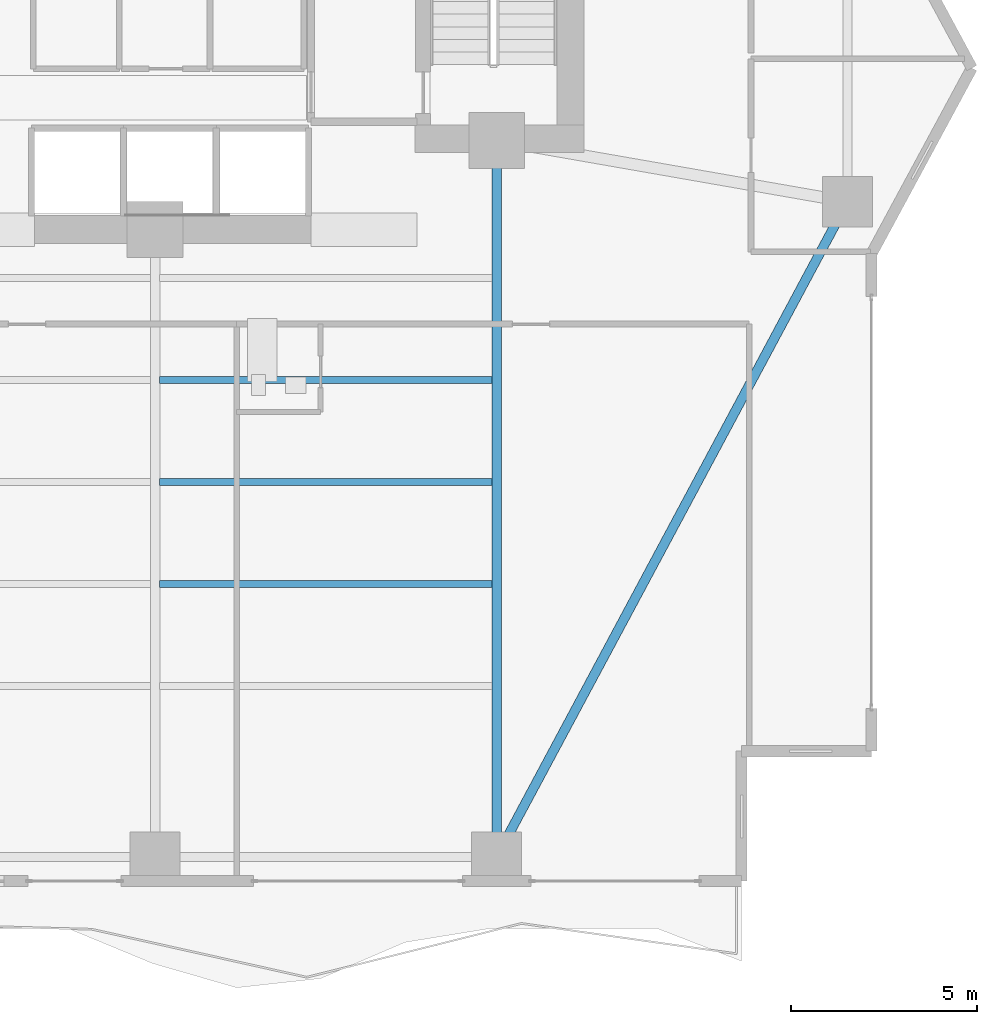
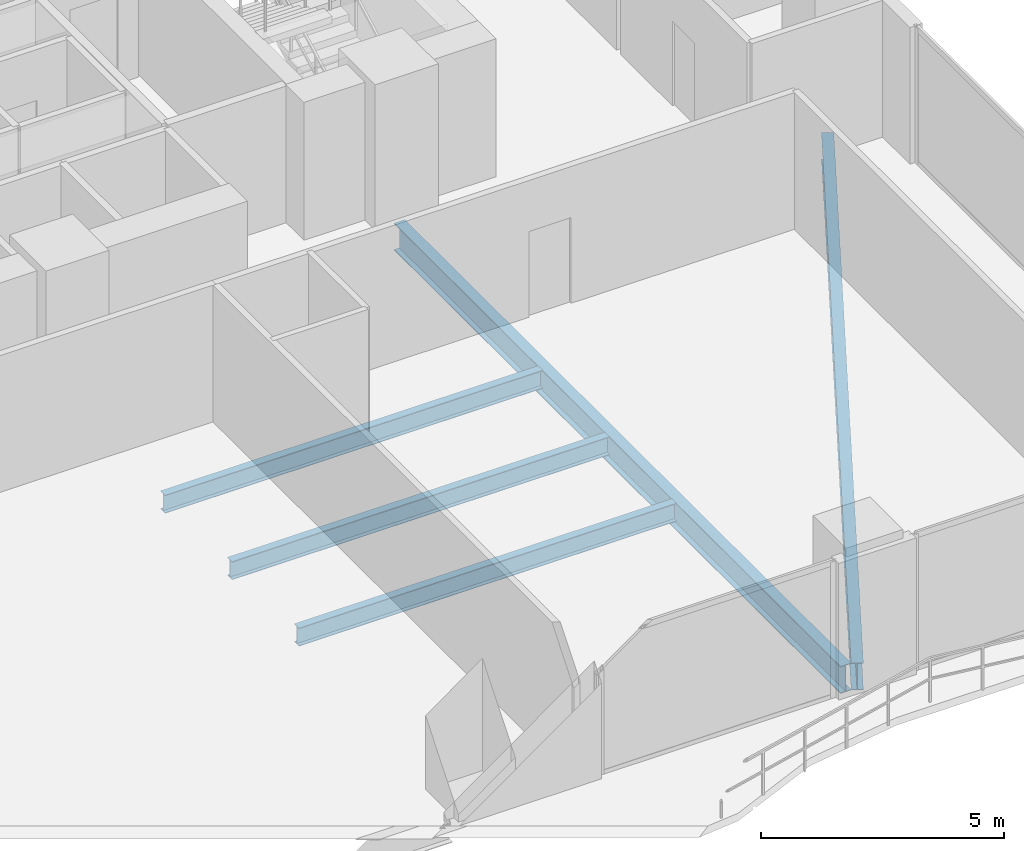
# One storey, part 10 of 29: 5 beams.
"""IFC4 building model written with IfcOpenShell, lengths in metres."""

from ifc_helpers import new_model, si_unit, direction, frame, origin, origin_2d, place, context, subcontext, project, spatial, i_section, extrude, material, material_profile, profile_set, type_object, element, save


model = new_model("IFC4")

# Units and contexts
model_context = context("Model", 3, precision=1e-05, world=origin(), true_north=direction((0.0, 1.0)))
body_context = subcontext(model_context, "Body", "Model", "MODEL_VIEW")
ifc_project = project(units=[si_unit("LENGTHUNIT", "METRE"), si_unit("AREAUNIT", "SQUARE_METRE"), si_unit("VOLUMEUNIT", "CUBIC_METRE"), si_unit("PLANEANGLEUNIT", "RADIAN"), si_unit("MASSUNIT", "GRAM", prefix="KILO")], contexts=[model_context])

# Site, building, storey
site_placement = place(None, origin())
site = spatial("IfcSite", under=ifc_project, at=site_placement, CompositionType="ELEMENT")
building_placement = place(site_placement, origin())
building = spatial("IfcBuilding", under=site, at=building_placement, Name="Zuhayl Quay Hotel", CompositionType="ELEMENT")
storey_placement = place(building_placement, frame((0.0, 0.0, 113.89990234375)))
storey = spatial("IfcBuildingStorey", under=building, at=storey_placement, Name="L28", CompositionType="ELEMENT", Elevation=113.89990234375)

# Beams
ifc_material = material(Name="Steel ASTM A992 Grade 50", Category="steel")
ifc_material_profile_1 = material_profile(ifc_material, i_section(OverallWidth=0.25390625, OverallDepth=0.68310546875, WebThickness=0.012451171875, FlangeThickness=0.018798828125, at=origin_2d()), Name="W27X94")
ifc_profile_set_1 = profile_set([ifc_material_profile_1], Name="Steel ASTM A992 Grade 50")
beam_type_1 = type_object("IfcBeamType", Name="BM_B2_W27X94", PredefinedType="BEAM", material=ifc_profile_set_1)
beam_1_placement = place(storey_placement, frame((14.035888671875, -14.30908203125, -0.5615234375), z_axis=(0.472017301959, 0.88158928456, 0.0), x_axis=(-0.88158928456, 0.472017301959, 0.0)))
element("IfcBeam", 1, at=beam_1_placement, inside=storey, type_object=beam_type_1, Name="L28 Floor Beam RG_L28_04", PredefinedType="BEAM", context=body_context, shape_type="SweptSolid", body=[
    extrude(i_section(OverallWidth=0.25390625, OverallDepth=0.68310546875, WebThickness=0.012451171875, FlangeThickness=0.018798828125, at=origin_2d()), origin(), (0.0, 0.0, 1.0), 19.0205078125),
])
beam_2_placement = place(storey_placement, frame((13.800048828125, -14.25, -0.5615234375), z_axis=(0.0, 1.0, 0.0), x_axis=(-1.0, 0.0, 0.0)))
element("IfcBeam", 2, at=beam_2_placement, inside=storey, type_object=beam_type_1, Name="L28 Floor Beam FG_S_L28_4", PredefinedType="BEAM", context=body_context, shape_type="SweptSolid", body=[
    extrude(i_section(OverallWidth=0.25390625, OverallDepth=0.68310546875, WebThickness=0.012451171875, FlangeThickness=0.018798828125, at=origin_2d()), origin(), (0.0, 0.0, 1.0), 18.35009765625),
])
ifc_material_profile_2 = material_profile(ifc_material, i_section(OverallWidth=0.18994140625, OverallDepth=0.45703125, WebThickness=0.009033203125, FlangeThickness=0.014404296875, at=origin_2d()), Name="W18X50")
ifc_profile_set_2 = profile_set([ifc_material_profile_2], Name="Steel ASTM A992 Grade 50")
beam_type_2 = type_object("IfcBeamType", Name="BM_J2_W18X50", PredefinedType="JOIST", material=ifc_profile_set_2)
for number, where, z_axis, x_axis, name in (
    (3, (4.718994140625, -7.39990234375, -0.448486328125), (1.0, 0.0, 0.0), (0.0, 1.0, 0.0), "L28 Floor Beam FJ_L28_6_3"),
    (4, (4.718994140625, -4.64990234375, -0.448486328125), (1.0, 0.0, 0.0), (0.0, 1.0, 0.0), "L28 Floor Beam FJ_L28_7_3"),
    (5, (4.718994140625, -1.89990234375, -0.448486328125), (1.0, 0.0, 0.0), (0.0, 1.0, 0.0), "L28 Floor Beam FJ_L28_8_3"),
):
    element("IfcBeam", number, at=place(storey_placement, frame(where, z_axis=z_axis, x_axis=x_axis)), inside=storey, type_object=beam_type_2, Name=name, PredefinedType="JOIST", context=body_context, shape_type="SweptSolid", body=[
        extrude(i_section(OverallWidth=0.18994140625, OverallDepth=0.45703125, WebThickness=0.009033203125, FlangeThickness=0.014404296875, at=origin_2d()), origin(), (0.0, 0.0, 1.0), 8.9619140625),
    ])

save(model, "model.ifc")
